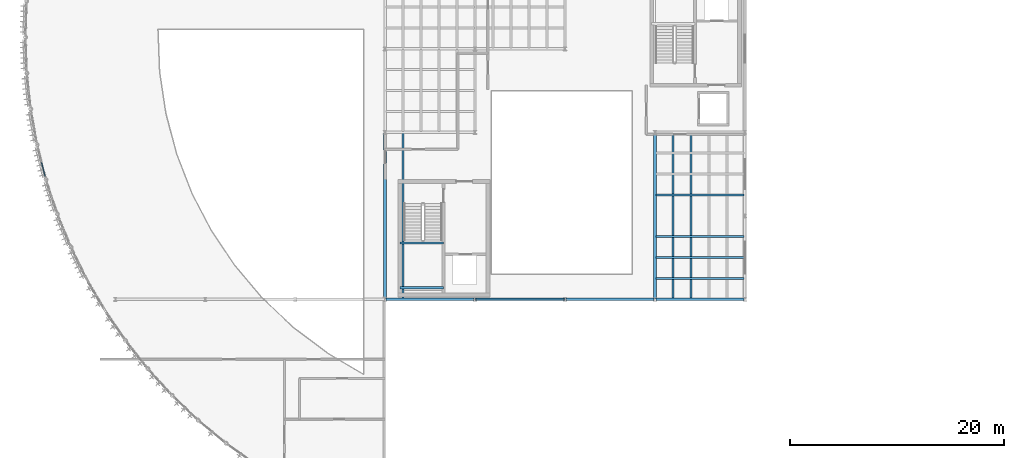
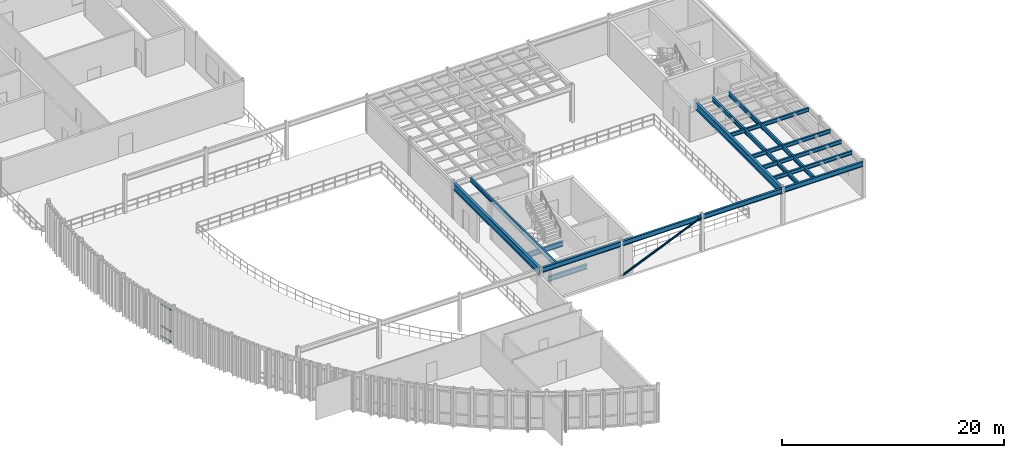
# One storey, part 14 of 32: 15 beams, 4 members, 1 element without a shape of its own.
"""IFC4 building model written with IfcOpenShell, lengths in metres."""

from ifc_helpers import new_model, si_unit, direction, frame, origin, origin_2d, place, context, subcontext, project, spatial, hollow_rectangle, hollow_circle, i_section, extrude, material, layer, layer_set, material_profile, profile_set, type_object, element, aggregate, save


model = new_model("IFC4")

# Units and contexts
model_context = context("Model", 3, precision=1e-05, world=origin(), true_north=direction((0.0, 1.0)))
body_context = subcontext(model_context, "Body", "Model", "MODEL_VIEW")
ifc_project = project(units=[si_unit("LENGTHUNIT", "METRE"), si_unit("AREAUNIT", "SQUARE_METRE"), si_unit("VOLUMEUNIT", "CUBIC_METRE"), si_unit("PLANEANGLEUNIT", "RADIAN"), si_unit("MASSUNIT", "GRAM", prefix="KILO")], contexts=[model_context])

# Site, building, storey
site_placement = place(None, origin())
site = spatial("IfcSite", under=ifc_project, at=site_placement, CompositionType="ELEMENT")
building_placement = place(site_placement, origin())
building = spatial("IfcBuilding", under=site, at=building_placement, Name="Selat Folded Stagehouse", CompositionType="ELEMENT")
storey_placement = place(building_placement, frame((0.0, 0.0, 19.199951171875)))
storey = spatial("IfcBuildingStorey", under=building, at=storey_placement, Name="L04", CompositionType="ELEMENT", Elevation=19.199951171875)

# Beams
ifc_material_1 = material(Name="Steel S355", Category="steel")
ifc_material_profile_1 = material_profile(ifc_material_1, i_section(OverallWidth=0.209228515625, OverallDepth=0.533203125, WebThickness=0.010009765625, FlangeThickness=0.015625, FilletRadius=0.0126953125, at=origin_2d()), Name="UKB 533x210x92")
ifc_profile_set_1 = profile_set([ifc_material_profile_1], Name="Steel S355")
beam_type_1 = type_object("IfcBeamType", Name="BM-GIRD-533x210x92", PredefinedType="BEAM", material=ifc_profile_set_1)
for number, where, z_axis, x_axis, name in (
    (1, (33.679931640625, 23.39990234375, 3.733642578125), (1.0, 0.0, 0.0), (0.0, 1.0, 0.0), "L04 primary x-girder 1362"),
    (2, (42.080078125, 23.39990234375, 3.733642578125), (1.0, 0.0, 0.0), (0.0, 1.0, 0.0), "L04 primary x-girder 1363"),
    (3, (50.47998046875, 23.39990234375, 3.733642578125), (1.0, 0.0, 0.0), (0.0, 1.0, 0.0), "L04 primary x-girder 1364"),
):
    element("IfcBeam", number, at=place(storey_placement, frame(where, z_axis=z_axis, x_axis=x_axis)), inside=storey, type_object=beam_type_1, Name=name, PredefinedType="BEAM", context=body_context, shape_type="SweptSolid", body=[
        extrude(i_section(OverallWidth=0.209228515625, OverallDepth=0.533203125, WebThickness=0.010009765625, FlangeThickness=0.015625, FilletRadius=0.0126953125, at=origin_2d()), origin(), (0.0, 0.0, 1.0), 8.239990234375),
    ])
beam_placement = place(storey_placement, frame((58.8798828125, 23.39990234375, 3.733642578125), z_axis=(1.0, 0.0, 0.0), x_axis=(0.0, 1.0, 0.0)))
element("IfcBeam", 4, at=beam_placement, inside=storey, type_object=beam_type_1, Name="L04 primary x-girder 1365", PredefinedType="BEAM", context=body_context, shape_type="SweptSolid", body=[
    extrude(i_section(OverallWidth=0.209228515625, OverallDepth=0.533203125, WebThickness=0.010009765625, FlangeThickness=0.015625, FilletRadius=0.0126953125, at=origin_2d()), origin(), (0.0, 0.0, 1.0), 8.240234375),
])
for number, where, z_axis, x_axis, name in (
    (5, (35.0, 24.489990234375, 1.633544921875), (1.0, 0.0, 0.0), (0.0, 1.0, 0.0), "L04 ST-01 landing support beam 1"),
    (6, (35.0, 28.669921875, 1.633544921875), (1.0, 0.0, 0.0), (0.0, 1.0, 0.0), "L04 ST-01 landing support beam 2"),
):
    element("IfcBeam", number, at=place(storey_placement, frame(where, z_axis=z_axis, x_axis=x_axis)), inside=storey, type_object=beam_type_1, Name=name, PredefinedType="BEAM", context=body_context, shape_type="SweptSolid", body=[
        extrude(i_section(OverallWidth=0.209228515625, OverallDepth=0.533203125, WebThickness=0.010009765625, FlangeThickness=0.015625, FilletRadius=0.0126953125, at=origin_2d()), origin(), (0.0, 0.0, 1.0), 4.050048828125),
    ])
ifc_material_profile_2 = material_profile(ifc_material_1, i_section(OverallWidth=0.26806640625, OverallDepth=0.769775390625, WebThickness=0.015625, FlangeThickness=0.025390625, FilletRadius=0.0166015625, at=origin_2d()), Name="UKB 762x267x197")
ifc_profile_set_2 = profile_set([ifc_material_profile_2], Name="Steel S355")
beam_type_2 = type_object("IfcBeamType", Name="BM-GIRD-762x267x197", PredefinedType="BEAM", material=ifc_profile_set_2)
for number, where, z_axis, x_axis, name in (
    (7, (33.60009765625, 23.47998046875, 3.615234375), (0.0, 1.0, 0.0), (-1.0, 0.0, 0.0), "L04 primary y-girder 1377"),
    (8, (58.800048828125, 23.47998046875, 3.615234375), (0.0, 1.0, 0.0), (-1.0, 0.0, 0.0), "L04 primary y-girder 1383"),
):
    element("IfcBeam", number, at=place(storey_placement, frame(where, z_axis=z_axis, x_axis=x_axis)), inside=storey, type_object=beam_type_2, Name=name, PredefinedType="BEAM", context=body_context, shape_type="SweptSolid", body=[
        extrude(i_section(OverallWidth=0.26806640625, OverallDepth=0.769775390625, WebThickness=0.015625, FlangeThickness=0.025390625, FilletRadius=0.0166015625, at=origin_2d()), origin(), (0.0, 0.0, 1.0), 15.43994140625),
    ])

# Curtain wall, members
ifc_material_2 = material(Name="Aluminium 6063-T6", Category="aluminium")
ifc_layer = layer(ifc_material_2, 0.18505859375)
ifc_layer_set = layer_set([ifc_layer], Name="Aluminium 6063-T6")
curtain_wall_type = type_object("IfcCurtainWallType", Name="CW-DRM-UPPER", PredefinedType="NOTDEFINED", material=ifc_layer_set)
curtain_wall_placement = place(storey_placement, origin())
curtain_wall = element("IfcCurtainWall", 9, at=curtain_wall_placement, inside=storey, type_object=curtain_wall_type, Name="L04 curtain wall CW-DRM-L04-05", PredefinedType="NOTDEFINED")
ifc_material_profile_3 = material_profile(ifc_material_2, hollow_rectangle(XDim=0.06494140625, YDim=0.139892578125, WallThickness=0.00390625, at=origin_2d()), Name="ALU 140x65x4.0")
ifc_profile_set_3 = profile_set([ifc_material_profile_3], Name="Aluminium 6063-T6")
member_type_1 = type_object("IfcMemberType", Name="CWM-TRN-140x65", PredefinedType="USERDEFINED", material=ifc_profile_set_3)
member_1_placement = place(storey_placement, frame((1.835693359375, 34.88916015625, 0.032470703125), z_axis=(-0.245584768356, 0.969375119111, 0.0), x_axis=(-0.969375119111, -0.245584768356, 0.0)))
member_1 = element("IfcMember", 10, at=member_1_placement, type_object=member_type_1, Name="CW-03 transom 1.1", ObjectType="TRANSOM", PredefinedType="USERDEFINED", context=body_context, shape_type="SweptSolid", body=[
    extrude(hollow_rectangle(XDim=0.06494140625, YDim=0.139892578125, WallThickness=0.00390625, at=origin_2d()), origin(), (0.0, 0.0, 1.0), 1.337158203125),
])
member_2_placement = place(storey_placement, frame((1.835693359375, 34.88916015625, 1.150146484375), z_axis=(-0.245584768356, 0.969375119111, 0.0), x_axis=(-0.969375119111, -0.245584768356, 0.0)))
member_2 = element("IfcMember", 11, at=member_2_placement, type_object=member_type_1, Name="CW-03 transom 1.2", ObjectType="TRANSOM", PredefinedType="USERDEFINED", context=body_context, shape_type="SweptSolid", body=[
    extrude(hollow_rectangle(XDim=0.06494140625, YDim=0.139892578125, WallThickness=0.00390625, at=origin_2d()), origin(), (0.0, 0.0, 1.0), 1.337158203125),
])
member_3_placement = place(storey_placement, frame((1.835693359375, 34.88916015625, 3.527587890625), z_axis=(-0.245584768356, 0.969375119111, 0.0), x_axis=(-0.969375119111, -0.245584768356, 0.0)))
member_3 = element("IfcMember", 12, at=member_3_placement, type_object=member_type_1, Name="CW-03 transom 1.3", ObjectType="TRANSOM", PredefinedType="USERDEFINED", context=body_context, shape_type="SweptSolid", body=[
    extrude(hollow_rectangle(XDim=0.06494140625, YDim=0.139892578125, WallThickness=0.00390625, at=origin_2d()), origin(), (0.0, 0.0, 1.0), 1.337158203125),
])
aggregate(curtain_wall, [member_1, member_2, member_3])

# Beams
ifc_material_profile_4 = material_profile(ifc_material_1, i_section(OverallWidth=0.177978515625, OverallDepth=0.406494140625, WebThickness=0.0078125, FlangeThickness=0.0126953125, FilletRadius=0.01025390625, at=origin_2d()), Name="UKB 406x178x60")
ifc_profile_set_4 = profile_set([ifc_material_profile_4], Name="Steel S355")
beam_type_3 = type_object("IfcBeamType", Name="JST-406x178x60", PredefinedType="JOIST", material=ifc_profile_set_4)
for number, where, z_axis, x_axis, name in (
    (13, (58.893798828125, 25.35009765625, 3.796875), (1.0, 0.0, 0.0), (0.0, 1.0, 0.0), "L04 secondary x-joist 1404"),
    (14, (58.893798828125, 27.300048828125, 3.796875), (1.0, 0.0, 0.0), (0.0, 1.0, 0.0), "L04 secondary x-joist 1405"),
    (15, (58.893798828125, 29.25, 3.796875), (1.0, 0.0, 0.0), (0.0, 1.0, 0.0), "L04 secondary x-joist 1406"),
    (16, (58.893798828125, 33.14990234375, 3.796875), (1.0, 0.0, 0.0), (0.0, 1.0, 0.0), "L04 secondary x-joist 1407"),
):
    element("IfcBeam", number, at=place(storey_placement, frame(where, z_axis=z_axis, x_axis=x_axis)), inside=storey, type_object=beam_type_3, Name=name, PredefinedType="JOIST", context=body_context, shape_type="SweptSolid", body=[
        extrude(i_section(OverallWidth=0.177978515625, OverallDepth=0.406494140625, WebThickness=0.0078125, FlangeThickness=0.0126953125, FilletRadius=0.01025390625, at=origin_2d()), origin(), (0.0, 0.0, 1.0), 8.232421875),
    ])
ifc_material_profile_5 = material_profile(ifc_material_1, i_section(OverallWidth=0.18994140625, OverallDepth=0.453369140625, WebThickness=0.008544921875, FlangeThickness=0.0126953125, FilletRadius=0.01025390625, at=origin_2d()), Name="UKB 457x191x67")
ifc_profile_set_5 = profile_set([ifc_material_profile_5], Name="Steel S355")
beam_type_4 = type_object("IfcBeamType", Name="JST-457x191x67", PredefinedType="JOIST", material=ifc_profile_set_5)
for number, where, z_axis, x_axis, name in (
    (17, (35.280029296875, 23.473388671875, 3.7734375), (0.0, 1.0, 0.0), (-1.0, 0.0, 0.0), "L04 secondary floor joist 1387"),
    (18, (60.47998046875, 23.473388671875, 3.7734375), (0.0, 1.0, 0.0), (-1.0, 0.0, 0.0), "L04 secondary floor joist 1400"),
    (19, (62.159912109375, 23.473388671875, 3.7734375), (0.0, 1.0, 0.0), (-1.0, 0.0, 0.0), "L04 secondary floor joist 1401"),
):
    element("IfcBeam", number, at=place(storey_placement, frame(where, z_axis=z_axis, x_axis=x_axis)), inside=storey, type_object=beam_type_4, Name=name, PredefinedType="JOIST", context=body_context, shape_type="SweptSolid", body=[
        extrude(i_section(OverallWidth=0.18994140625, OverallDepth=0.453369140625, WebThickness=0.008544921875, FlangeThickness=0.0126953125, FilletRadius=0.01025390625, at=origin_2d()), origin(), (0.0, 0.0, 1.0), 15.453369140625),
    ])

# Member
ifc_material_profile_6 = material_profile(ifc_material_1, hollow_circle(Radius=0.109619140625, WallThickness=0.010009765625, at=origin_2d()), Name="CHS 219.1x10.0")
ifc_profile_set_6 = profile_set([ifc_material_profile_6], Name="Steel S355")
member_type_2 = type_object("IfcMemberType", Name="MEM-BRACE-INT219", PredefinedType="BRACE", material=ifc_profile_set_6)
member_4_placement = place(storey_placement, frame((42.0, 23.39990234375, 0.150146484375), z_axis=(0.919149175366, 0.0, 0.39390962596), x_axis=(0.0, 1.0, 0.0)))
element("IfcMember", 20, at=member_4_placement, inside=storey, type_object=member_type_2, Name="L04 vertical frame brace 05", PredefinedType="BRACE", context=body_context, shape_type="SweptSolid", body=[
    extrude(hollow_circle(Radius=0.109619140625, WallThickness=0.010009765625, at=origin_2d()), origin(), (0.0, 0.0, 1.0), 9.138671875),
])

save(model, "model.ifc")
